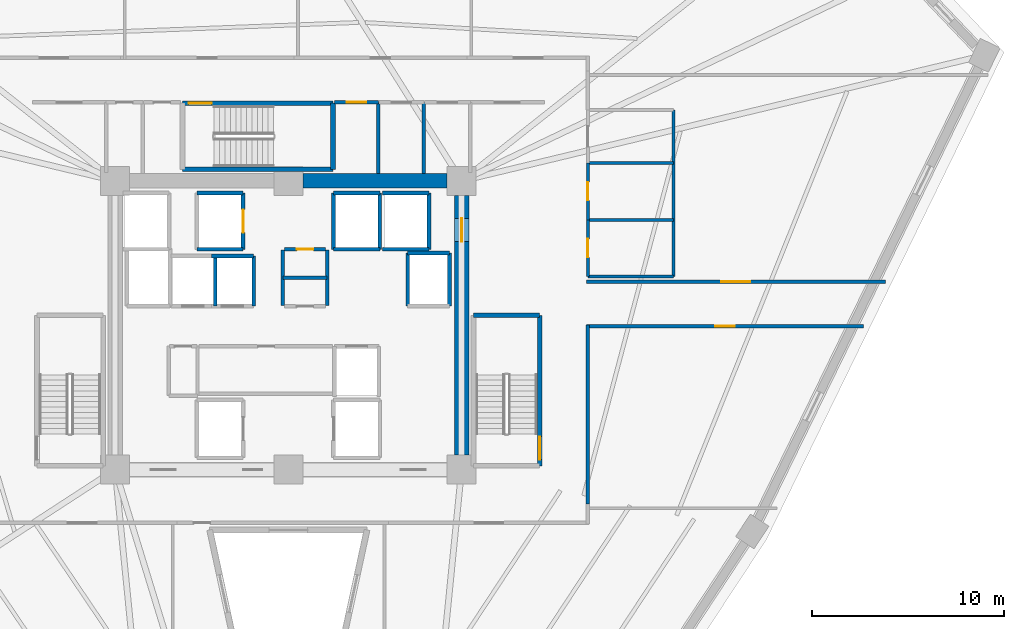
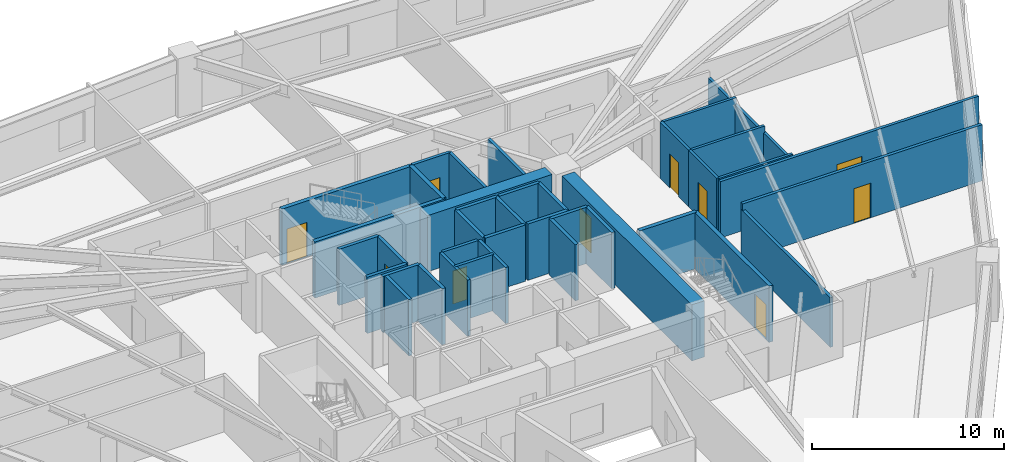
# One storey, part 6 of 9: 39 walls, 10 doors, 10 openings.
"""IFC4 building model written with IfcOpenShell, lengths in metres."""

import ifcopenshell
import ifcopenshell.guid

model = None  # the IFC model being written
_history = None  # IfcOwnerHistory: only IFC2X3 demands one
_inside = {}  # id of a spatial element -> (the spatial element, [elements in it])
_under = {}  # id of a project, library or spatial element -> (it, [spatial elements below it])
_declared = {}  # id of a project -> (the project, [libraries it declares])
_typed = {}  # id of a type object -> (the type object, [elements of that type])
_made_of = {}  # id of a material, layer set ... -> (it, [elements and type objects made of it])


def new_model(schema):
    """Start an empty IFC model of exactly this schema.

    Asked for "IFC4X3", IfcOpenShell would pick the latest addendum, in which some entities
    have other attributes; the version numbers below select the first issue.
    IFC2X3 requires an IfcOwnerHistory on every rooted entity: one is made here for all.
    """
    global model, _history
    if schema == "IFC4X3":
        model = ifcopenshell.file(schema_version=(4, 3, 0, 0))
    else:
        model = ifcopenshell.file(schema=schema)
    _inside.clear()
    _under.clear()
    _declared.clear()
    _typed.clear()
    _made_of.clear()
    _history = None
    if model.schema == "IFC2X3":
        org = make("IfcOrganization", Name="unknown")
        user = make(
            "IfcPersonAndOrganization",
            ThePerson=make("IfcPerson", FamilyName="unknown"),
            TheOrganization=org,
        )
        app = make(
            "IfcApplication",
            ApplicationDeveloper=org,
            Version="unknown",
            ApplicationFullName="unknown",
            ApplicationIdentifier="unknown",
        )
        _history = make(
            "IfcOwnerHistory",
            OwningUser=user,
            OwningApplication=app,
            ChangeAction="ADDED",
            CreationDate=0,
        )
    return model


def make(cls, **values):
    """One entity of the class cls with the attributes given. An attribute that is None is left unset."""
    return model.create_entity(
        cls, **{name: value for name, value in values.items() if value is not None}
    )


def rooted(cls, **values):
    """An entity with a GlobalId (a new one), such as an element, a storey or a relation."""
    return make(cls, GlobalId=ifcopenshell.guid.new(), OwnerHistory=_history, **values)


def si_unit(unit_type, name, prefix=None):
    """IfcSIUnit, for example si_unit("LENGTHUNIT", "METRE", prefix="MILLI")."""
    return make("IfcSIUnit", UnitType=unit_type, Prefix=prefix, Name=name)


def assignment(units):
    """IfcUnitAssignment: the units of a project."""
    return None if units is None else make("IfcUnitAssignment", Units=units)


def point(xyz):
    """IfcCartesianPoint."""
    return None if xyz is None else make("IfcCartesianPoint", Coordinates=xyz)


def direction(xyz):
    """IfcDirection."""
    return None if xyz is None else make("IfcDirection", DirectionRatios=xyz)


def frame(location, z_axis=None, x_axis=None):
    """IfcAxis2Placement3D, a coordinate frame: its origin and axes. An axis left out is left unset."""
    return make(
        "IfcAxis2Placement3D",
        Location=point(location),
        Axis=direction(z_axis),
        RefDirection=direction(x_axis),
    )


def frame_2d(location, x_axis=None):
    """IfcAxis2Placement2D, a coordinate frame in the plane: its origin and x axis."""
    return make(
        "IfcAxis2Placement2D", Location=point(location), RefDirection=direction(x_axis)
    )


def origin():
    """The frame at (0, 0, 0) with its axes left unset."""
    return frame((0.0, 0.0, 0.0))


def place(relative_to, where):
    """IfcLocalPlacement: puts the frame where relative to a parent placement (None: the world)."""
    return make(
        "IfcLocalPlacement", PlacementRelTo=relative_to, RelativePlacement=where
    )


def context(
    kind, dimensions, precision=None, world=None, true_north=None, identifier=None
):
    """IfcGeometricRepresentationContext, for example the 3D "Model" context."""
    return make(
        "IfcGeometricRepresentationContext",
        ContextIdentifier=identifier,
        ContextType=kind,
        CoordinateSpaceDimension=dimensions,
        Precision=precision,
        WorldCoordinateSystem=world,
        TrueNorth=true_north,
    )


def subcontext(parent, identifier, kind, view, scale=None):
    """IfcGeometricRepresentationSubContext, for example "Body" below "Model"."""
    return make(
        "IfcGeometricRepresentationSubContext",
        ContextIdentifier=identifier,
        ContextType=kind,
        ParentContext=parent,
        TargetScale=scale,
        TargetView=view,
    )


def project(units=None, contexts=None):
    """IfcProject with its units and contexts."""
    return rooted(
        "IfcProject",
        Name="project",
        RepresentationContexts=contexts,
        UnitsInContext=assignment(units),
    )


def spatial(cls, under=None, at=None, **own):
    """A site, building, storey or space (cls), placed at a placement, below another one or the project."""
    s = rooted(cls, ObjectPlacement=at, **own)
    if under is not None:
        _under.setdefault(under.id(), (under, []))[1].append(s)
    return s


def profile(cls, at=None, kind="AREA", **sizes):
    """A parametric profile (cls). Its sizes go by their IFC names, for example OverallWidth=200.0."""
    return make(cls, ProfileType=kind, Position=at, **sizes)


def rectangle(**sizes):
    """IfcRectangleProfileDef."""
    return profile("IfcRectangleProfileDef", **sizes)


def extrude(swept, where, along, depth):
    """IfcExtrudedAreaSolid: the profile swept, set in the frame where, extruded along a direction by depth."""
    return make(
        "IfcExtrudedAreaSolid",
        SweptArea=swept,
        Position=where,
        ExtrudedDirection=direction(along),
        Depth=depth,
    )


def shape(context_of_items, identifier, shape_type, items):
    """IfcShapeRepresentation: the items that make up one representation, for example the "Body"."""
    return make(
        "IfcShapeRepresentation",
        ContextOfItems=context_of_items,
        RepresentationIdentifier=identifier,
        RepresentationType=shape_type,
        Items=items,
    )


def source(mapping_origin, context_of_items, identifier, shape_type, items):
    """IfcRepresentationMap: a shape defined once, which mapped items show again and again."""
    return make(
        "IfcRepresentationMap",
        MappingOrigin=mapping_origin,
        MappedRepresentation=shape(context_of_items, identifier, shape_type, items),
    )


def transform(
    local_origin,
    x_axis=None,
    y_axis=None,
    z_axis=None,
    scale=None,
    scale2=None,
    scale3=None,
    uniform=True,
):
    """IfcCartesianTransformationOperator3D, or its non-uniform kind. x_axis, y_axis, z_axis: its Axis1, 2, 3."""
    if uniform:
        return make(
            "IfcCartesianTransformationOperator3D",
            Axis1=direction(x_axis),
            Axis2=direction(y_axis),
            LocalOrigin=point(local_origin),
            Scale=scale,
            Axis3=direction(z_axis),
        )
    return make(
        "IfcCartesianTransformationOperator3DnonUniform",
        Axis1=direction(x_axis),
        Axis2=direction(y_axis),
        LocalOrigin=point(local_origin),
        Scale=scale,
        Axis3=direction(z_axis),
        Scale2=scale2,
        Scale3=scale3,
    )


def mapped(mapping_source, mapping_target):
    """IfcMappedItem: shows the shape of a source again, moved by a transform."""
    return make(
        "IfcMappedItem", MappingSource=mapping_source, MappingTarget=mapping_target
    )


def material(Name=None, Category=None):
    """IfcMaterial."""
    return make("IfcMaterial", Name=Name, Category=Category)


def layer(
    of_material, thickness, ventilated=None, Name=None, Category=None, Priority=None
):
    """IfcMaterialLayer: one layer of a wall or slab, of a material (None: an air gap)."""
    return make(
        "IfcMaterialLayer",
        Material=of_material,
        LayerThickness=thickness,
        IsVentilated=ventilated,
        Name=Name,
        Category=Category,
        Priority=Priority,
    )


def layer_set(layers, Name=None):
    """IfcMaterialLayerSet."""
    return make("IfcMaterialLayerSet", MaterialLayers=layers, LayerSetName=Name)


def made_of(thing, what):
    """Note that an element or type object is made of a material, layer set ...; save() writes the relation."""
    if what is not None:
        _made_of.setdefault(what.id(), (what, []))[1].append(thing)
    return thing


def type_object(cls, material=None, **own):
    """A type object (cls), such as IfcWallType, which elements share."""
    return made_of(rooted(cls, **own), material)


def element(
    cls,
    number,
    at=None,
    inside=None,
    cuts=None,
    type_object=None,
    material=None,
    context=None,
    identifier="Body",
    shape_type=None,
    held_by="IfcProductDefinitionShape",
    body=None,
    shapes=None,
    **own,
):
    """One element of the class cls, such as IfcWall. Its Tag is "e" and its number.

    at: its placement. inside: the storey or other place that contains it. cuts: it is an
    opening in that element (IfcRelVoidsElement). A single representation is given by context,
    identifier, shape_type and body (its items); several are given by shapes. held_by: the class
    of the entity that holds the representations. save() writes the other relations.
    """
    e = rooted(cls, Tag="e%d" % number, ObjectPlacement=at, **own)
    if body is not None:
        shapes = [shape(context, identifier, shape_type, body)]
    if shapes is not None:
        e.Representation = make(held_by, Representations=shapes)
    if inside is not None:
        _inside.setdefault(inside.id(), (inside, []))[1].append(e)
    if cuts is not None:
        rooted(
            "IfcRelVoidsElement", RelatingBuildingElement=cuts, RelatedOpeningElement=e
        )
    if type_object is not None:
        _typed.setdefault(type_object.id(), (type_object, []))[1].append(e)
    return made_of(e, material)


def fill(opening, filler):
    """IfcRelFillsElement: the door or window that sits in an opening."""
    return rooted(
        "IfcRelFillsElement",
        RelatingOpeningElement=opening,
        RelatedBuildingElement=filler,
    )


def aggregate(whole, parts):
    """IfcRelAggregates: a whole, such as a stair, and the parts it consists of."""
    return rooted("IfcRelAggregates", RelatingObject=whole, RelatedObjects=parts)


def save(model, path):
    """Write the relations noted so far, then the file.

    IfcRelAggregates (storeys below a building ...), IfcRelContainedInSpatialStructure (elements
    in a storey), IfcRelDefinesByType, IfcRelAssociatesMaterial and IfcRelDeclares: one each for
    every whole, place, type object, material and project.
    """
    for whole, parts in _under.values():
        aggregate(whole, parts)
    for where, things in _inside.values():
        rooted(
            "IfcRelContainedInSpatialStructure",
            RelatedElements=things,
            RelatingStructure=where,
        )
    for kind, things in _typed.values():
        rooted("IfcRelDefinesByType", RelatedObjects=things, RelatingType=kind)
    for what, things in _made_of.values():
        rooted("IfcRelAssociatesMaterial", RelatedObjects=things, RelatingMaterial=what)
    for by, libraries in _declared.values():
        rooted("IfcRelDeclares", RelatingContext=by, RelatedDefinitions=libraries)
    model.write(path)


model = new_model("IFC4")

# Units and contexts
model_context = context("Model", 3, precision=1e-05, world=origin(), true_north=direction((0.0, 1.0)))
body_context = subcontext(model_context, "Body", "Model", "MODEL_VIEW")
ifc_project = project(units=[si_unit("LENGTHUNIT", "METRE"), si_unit("AREAUNIT", "SQUARE_METRE"), si_unit("VOLUMEUNIT", "CUBIC_METRE"), si_unit("PLANEANGLEUNIT", "RADIAN"), si_unit("MASSUNIT", "GRAM", prefix="KILO")], contexts=[model_context])

# Site, building, storey
site_placement = place(None, origin())
site = spatial("IfcSite", under=ifc_project, at=site_placement, CompositionType="ELEMENT")
building_placement = place(site_placement, origin())
building = spatial("IfcBuilding", under=site, at=building_placement, Name="Liaohun Quay Tower", CompositionType="ELEMENT")
storey_placement = place(building_placement, frame((0.0, 0.0, 128.25)))
storey = spatial("IfcBuildingStorey", under=building, at=storey_placement, Name="L33", CompositionType="ELEMENT", Elevation=128.25)

# Wall
ifc_material_1 = material(Name="Concrete C60", Category="concrete")
ifc_layer_1 = layer(ifc_material_1, 0.75, Name="Concrete C60", Category="concrete")
ifc_layer_set_1 = layer_set([ifc_layer_1], Name="Concrete C60")
wall_type_1 = type_object("IfcWallType", Name="WAL-COR-Z2", PredefinedType="SHEAR", material=ifc_layer_set_1)
wall_1_placement = place(storey_placement, frame((60.75, 61.5, 0.0), z_axis=(0.0, 0.0, 1.0), x_axis=(1.0, 0.0, 0.0)))
element("IfcWall", 1, at=wall_1_placement, inside=storey, type_object=wall_type_1, Name="L33 Central Core Shear Wall N-E", PredefinedType="SHEAR", context=body_context, shape_type="SweptSolid", body=[
    extrude(rectangle(XDim=7.5, YDim=0.75, at=frame_2d((3.75, 0.0))), origin(), (0.0, 0.0, 1.0), 3.570068359375),
])

# Wall, opening, door
wall_2_placement = place(storey_placement, frame((69.0, 60.75, 0.0), z_axis=(0.0, 0.0, 1.0), x_axis=(0.0, -1.0, 0.0)))
wall_2 = element("IfcWall", 2, at=wall_2_placement, inside=storey, type_object=wall_type_1, Name="L33 Central Core Shear Wall E", PredefinedType="SHEAR", context=body_context, shape_type="SweptSolid", body=[
    extrude(rectangle(XDim=13.5, YDim=0.75, at=frame_2d((6.75, 0.0))), origin(), (0.0, 0.0, 1.0), 3.570068359375),
])
shared_shape_1 = source(origin(), body_context, "Body", "SweptSolid", [
    extrude(rectangle(XDim=1.199951171875, YDim=2.199951171875, at=frame_2d((0.60009765625, 1.10009765625))), frame((0.0, 0.385009765625, 0.0), z_axis=(0.0, -1.0, 0.0), x_axis=(1.0, 0.0, 0.0)), (0.0, 0.0, 1.0), 0.77001953125),
])
opening_1_placement = place(wall_2_placement, frame((1.199951171875, 0.0, 0.0)))
opening_1 = element("IfcOpeningElement", 3, at=opening_1_placement, cuts=wall_2, Name="Opening SD1", PredefinedType="OPENING", context=body_context, shape_type="MappedRepresentation", body=[
    mapped(shared_shape_1, transform((0.0, 0.0, 0.0), x_axis=(1.0, 0.0, 0.0), y_axis=(0.0, 1.0, 0.0), z_axis=(0.0, 0.0, 1.0), scale=1.0)),
])
ifc_material_2 = material(Name="Galvanised steel fire door", Category="steel")
door_type_1 = type_object("IfcDoorType", Name="DOR-STR-1200", OperationType="NOTDEFINED", PredefinedType="DOOR", material=ifc_material_2)
shared_shape_2 = source(origin(), body_context, "Body", "SweptSolid", [
    extrude(rectangle(XDim=1.199951171875, YDim=2.199951171875, at=frame_2d((0.60009765625, 1.10009765625))), frame((0.0, 0.02490234375, 0.0), z_axis=(0.0, -1.0, 0.0), x_axis=(1.0, 0.0, 0.0)), (0.0, 0.0, 1.0), 0.050048828125),
])
door_1_placement = place(opening_1_placement, origin())
door_1 = element("IfcDoor", 4, at=door_1_placement, inside=storey, type_object=door_type_1, Name="L33 North-East Core Lobby Smokeproof Door", OperationType="SINGLE_SWING_LEFT", OverallHeight=2.199951171875, OverallWidth=1.199951171875, PredefinedType="DOOR", context=body_context, shape_type="MappedRepresentation", body=[
    mapped(shared_shape_2, transform((0.0, 0.0, 0.0), x_axis=(1.0, 0.0, 0.0), y_axis=(0.0, 1.0, 0.0), z_axis=(0.0, 0.0, 1.0), scale=1.0)),
])
fill(opening_1, door_1)

ifc_material_3 = material(Name="Autoclaved aerated concrete blockwork", Category="masonry")
ifc_layer_2 = layer(ifc_material_3, 0.179931640625, Name="Autoclaved aerated concrete blockwork", Category="masonry")
ifc_layer_set_2 = layer_set([ifc_layer_2], Name="Autoclaved aerated concrete blockwork")
wall_type_2 = type_object("IfcWallType", Name="WAL-PRT-COR", PredefinedType="PARTITIONING", material=ifc_layer_set_2)
wall_3_placement = place(storey_placement, frame((59.81005859375, 57.949951171875, 0.0), z_axis=(0.0, 0.0, 1.0), x_axis=(1.0, 0.0, 0.0)))
wall_3 = element("IfcWall", 5, at=wall_3_placement, inside=storey, type_object=wall_type_2, Name="L33 Interior Partition Wall 003", PredefinedType="PARTITIONING", context=body_context, shape_type="SweptSolid", body=[
    extrude(rectangle(XDim=2.10986328125, YDim=0.179931640625, at=frame_2d((1.054931640625, 0.0))), origin(), (0.0, 0.0, 1.0), 3.570068359375),
])
shared_shape_3 = source(origin(), body_context, "Body", "SweptSolid", [
    extrude(rectangle(XDim=0.85009765625, YDim=2.10009765625, at=frame_2d((0.425048828125, 1.050048828125))), frame((0.0, 0.099853515625, 0.0), z_axis=(0.0, -1.0, 0.0), x_axis=(1.0, 0.0, 0.0)), (0.0, 0.0, 1.0), 0.199951171875),
])
opening_2_placement = place(wall_3_placement, frame((0.635009765625, 0.0, 0.0)))
opening_2 = element("IfcOpeningElement", 6, at=opening_2_placement, cuts=wall_3, Name="Opening AD1", PredefinedType="OPENING", context=body_context, shape_type="MappedRepresentation", body=[
    mapped(shared_shape_3, transform((0.0, 0.0, 0.0), x_axis=(1.0, 0.0, 0.0), y_axis=(0.0, 1.0, 0.0), z_axis=(0.0, 0.0, 1.0), scale=1.0)),
])
ifc_material_4 = material(Name="Steel riser inspection fire door", Category="steel")
door_type_2 = type_object("IfcDoorType", Name="DOR-SHF-850", OperationType="NOTDEFINED", PredefinedType="DOOR", material=ifc_material_4)
shared_shape_4 = source(origin(), body_context, "Body", "SweptSolid", [
    extrude(rectangle(XDim=0.85009765625, YDim=2.10009765625, at=frame_2d((0.425048828125, 1.050048828125))), frame((0.0, 0.02490234375, 0.0), z_axis=(0.0, -1.0, 0.0), x_axis=(1.0, 0.0, 0.0)), (0.0, 0.0, 1.0), 0.050048828125),
])
door_2_placement = place(opening_2_placement, origin())
door_2 = element("IfcDoor", 7, at=door_2_placement, inside=storey, type_object=door_type_2, Name="L33 Telecom Comms Closet Door", OperationType="SINGLE_SWING_LEFT", OverallHeight=2.10009765625, OverallWidth=0.85009765625, PredefinedType="DOOR", context=body_context, shape_type="MappedRepresentation", body=[
    mapped(shared_shape_4, transform((0.0, 0.0, 0.0), x_axis=(1.0, 0.0, 0.0), y_axis=(0.0, 1.0, 0.0), z_axis=(0.0, 0.0, 1.0), scale=1.0)),
])
fill(opening_2, door_2)

wall_4_placement = place(storey_placement, frame((62.389892578125, 65.580078125, 0.0), z_axis=(0.0, 0.0, 1.0), x_axis=(1.0, 0.0, 0.0)))
wall_4 = element("IfcWall", 8, at=wall_4_placement, inside=storey, type_object=wall_type_2, Name="L33 Interior Partition Wall 010", PredefinedType="PARTITIONING", context=body_context, shape_type="SweptSolid", body=[
    extrude(rectangle(XDim=2.2900390625, YDim=0.179931640625, at=frame_2d((1.14501953125, 0.0))), origin(), (0.0, 0.0, 1.0), 3.570068359375),
])
shared_shape_5 = source(origin(), body_context, "Body", "SweptSolid", [
    extrude(rectangle(XDim=1.0, YDim=2.199951171875, at=frame_2d((0.5, 1.10009765625))), frame((0.0, 0.099853515625, 0.0), z_axis=(0.0, -1.0, 0.0), x_axis=(1.0, 0.0, 0.0)), (0.0, 0.0, 1.0), 0.199951171875),
])
opening_3_placement = place(wall_4_placement, frame((0.64501953125, 0.0, 0.0)))
opening_3 = element("IfcOpeningElement", 9, at=opening_3_placement, cuts=wall_4, Name="Opening OD1", PredefinedType="OPENING", context=body_context, shape_type="MappedRepresentation", body=[
    mapped(shared_shape_5, transform((0.0, 0.0, 0.0), x_axis=(1.0, 0.0, 0.0), y_axis=(0.0, 1.0, 0.0), z_axis=(0.0, 0.0, 1.0), scale=1.0)),
])
ifc_material_5 = material(Name="Solid-core oak veneer timber leaf in steel frame", Category="steel")
door_type_3 = type_object("IfcDoorType", Name="DOR-OFF-1000", OperationType="NOTDEFINED", PredefinedType="DOOR", material=ifc_material_5)
shared_shape_6 = source(origin(), body_context, "Body", "SweptSolid", [
    extrude(rectangle(XDim=1.0, YDim=2.199951171875, at=frame_2d((0.5, 1.10009765625))), frame((0.0, 0.02490234375, 0.0), z_axis=(0.0, -1.0, 0.0), x_axis=(1.0, 0.0, 0.0)), (0.0, 0.0, 1.0), 0.050048828125),
])
door_3_placement = place(opening_3_placement, origin())
door_3 = element("IfcDoor", 10, at=door_3_placement, inside=storey, type_object=door_type_3, Name="L33 North-East Mail Store Door", OperationType="SINGLE_SWING_RIGHT", OverallHeight=2.199951171875, OverallWidth=1.0, PredefinedType="DOOR", context=body_context, shape_type="MappedRepresentation", body=[
    mapped(shared_shape_6, transform((0.0, 0.0, 0.0), x_axis=(1.0, 0.0, 0.0), y_axis=(0.0, 1.0, 0.0), z_axis=(0.0, 0.0, 1.0), scale=1.0)),
])
fill(opening_3, door_3)

wall_5_placement = place(storey_placement, frame((75.489990234375, 56.260009765625, 0.0), z_axis=(0.0, 0.0, 1.0), x_axis=(1.0, 0.0, 0.0)))
wall_5 = element("IfcWall", 11, at=wall_5_placement, inside=storey, type_object=wall_type_2, Name="L33 Interior Partition Wall 015", PredefinedType="PARTITIONING", context=body_context, shape_type="SweptSolid", body=[
    extrude(rectangle(XDim=15.52392578125, YDim=0.179931640625, at=frame_2d((7.761962890625, 0.0))), origin(), (0.0, 0.0, 1.0), 3.570068359375),
])
shared_shape_7 = source(origin(), body_context, "Body", "SweptSolid", [
    extrude(rectangle(XDim=1.5, YDim=2.199951171875, at=frame_2d((0.75, 1.10009765625))), frame((0.0, 0.099853515625, 0.0), z_axis=(0.0, -1.0, 0.0), x_axis=(1.0, 0.0, 0.0)), (0.0, 0.0, 1.0), 0.199951171875),
])
opening_4_placement = place(wall_5_placement, frame((7.011962890625, 0.0, 0.0)))
opening_4 = element("IfcOpeningElement", 12, at=opening_4_placement, cuts=wall_5, Name="Opening OD2", PredefinedType="OPENING", context=body_context, shape_type="MappedRepresentation", body=[
    mapped(shared_shape_7, transform((0.0, 0.0, 0.0), x_axis=(1.0, 0.0, 0.0), y_axis=(0.0, 1.0, 0.0), z_axis=(0.0, 0.0, 1.0), scale=1.0)),
])
ifc_material_6 = material(Name="Acoustic oak veneer double door")
door_type_4 = type_object("IfcDoorType", Name="DOR-OFF-1500", OperationType="DOUBLE_DOOR_SINGLE_SWING", PredefinedType="DOOR", material=ifc_material_6)
shared_shape_8 = source(origin(), body_context, "Body", "SweptSolid", [
    extrude(rectangle(XDim=1.5, YDim=2.199951171875, at=frame_2d((0.75, 1.10009765625))), frame((0.0, 0.02490234375, 0.0), z_axis=(0.0, -1.0, 0.0), x_axis=(1.0, 0.0, 0.0)), (0.0, 0.0, 1.0), 0.050048828125),
])
door_4_placement = place(opening_4_placement, origin())
door_4 = element("IfcDoor", 13, at=door_4_placement, inside=storey, type_object=door_type_4, Name="L33 Technical Reference Library 01 Door", OperationType="DOUBLE_DOOR_SINGLE_SWING", OverallHeight=2.199951171875, OverallWidth=1.5, PredefinedType="DOOR", context=body_context, shape_type="MappedRepresentation", body=[
    mapped(shared_shape_8, transform((0.0, 0.0, 0.0), x_axis=(1.0, 0.0, 0.0), y_axis=(0.0, 1.0, 0.0), z_axis=(0.0, 0.0, 1.0), scale=1.0)),
])
fill(opening_4, door_4)

wall_6_placement = place(storey_placement, frame((89.883056640625, 53.93994140625, 0.0), z_axis=(0.0, 0.0, 1.0), x_axis=(-1.0, 0.0, 0.0)))
wall_6 = element("IfcWall", 14, at=wall_6_placement, inside=storey, type_object=wall_type_2, Name="L33 Interior Partition Wall 027", PredefinedType="PARTITIONING", context=body_context, shape_type="SweptSolid", body=[
    extrude(rectangle(XDim=14.39306640625, YDim=0.179931640625, at=frame_2d((7.196533203125, 0.0))), origin(), (0.0, 0.0, 1.0), 3.570068359375),
])
opening_5_placement = place(wall_6_placement, frame((6.697021484375, 0.0, 0.0)))
opening_5 = element("IfcOpeningElement", 15, at=opening_5_placement, cuts=wall_6, Name="Opening OD1", PredefinedType="OPENING", context=body_context, shape_type="MappedRepresentation", body=[
    mapped(shared_shape_5, transform((0.0, 0.0, 0.0), x_axis=(1.0, 0.0, 0.0), y_axis=(0.0, 1.0, 0.0), z_axis=(0.0, 0.0, 1.0), scale=1.0)),
])
door_5_placement = place(opening_5_placement, origin())
door_5 = element("IfcDoor", 16, at=door_5_placement, inside=storey, type_object=door_type_3, Name="L33 Regional Advisory Office 13 Door", OperationType="SINGLE_SWING_LEFT", OverallHeight=2.199951171875, OverallWidth=1.0, PredefinedType="DOOR", context=body_context, shape_type="MappedRepresentation", body=[
    mapped(shared_shape_6, transform((0.0, 0.0, 0.0), x_axis=(1.0, 0.0, 0.0), y_axis=(0.0, 1.0, 0.0), z_axis=(0.0, 0.0, 1.0), scale=1.0)),
])
fill(opening_5, door_5)

# Walls
for number, where, z_axis, x_axis, name in (
    (17, (59.719970703125, 55.02001953125, 0.0), (0.0, 0.0, 1.0), (0.0, 1.0, 0.0), "L33 Interior Partition Wall 028"),
    (18, (62.010009765625, 55.02001953125, 0.0), (0.0, 0.0, 1.0), (0.0, 1.0, 0.0), "L33 Interior Partition Wall 029"),
):
    element("IfcWall", number, at=place(storey_placement, frame(where, z_axis=z_axis, x_axis=x_axis)), inside=storey, type_object=wall_type_2, Name=name, PredefinedType="PARTITIONING", context=body_context, shape_type="SweptSolid", body=[
        extrude(rectangle(XDim=2.8798828125, YDim=0.179931640625, at=frame_2d((1.43994140625, 0.0))), origin(), (0.0, 0.0, 1.0), 3.570068359375),
    ])
wall_7_placement = place(storey_placement, frame((59.719970703125, 56.4599609375, 0.0), z_axis=(0.0, 0.0, 1.0), x_axis=(1.0, 0.0, 0.0)))
element("IfcWall", 19, at=wall_7_placement, inside=storey, type_object=wall_type_2, Name="L33 Interior Partition Wall 030", PredefinedType="PARTITIONING", context=body_context, shape_type="SweptSolid", body=[
    extrude(rectangle(XDim=2.2900390625, YDim=0.179931640625, at=frame_2d((1.14501953125, 0.0))), origin(), (0.0, 0.0, 1.0), 3.570068359375),
])
for number, where, z_axis, x_axis, name in (
    (20, (64.679931640625, 61.875, 0.0), (0.0, 0.0, 1.0), (0.0, 1.0, 0.0), "L33 Interior Partition Wall 041"),
    (21, (67.0400390625, 61.875, 0.0), (0.0, 0.0, 1.0), (0.0, 1.0, 0.0), "L33 Interior Partition Wall 042"),
):
    element("IfcWall", number, at=place(storey_placement, frame(where, z_axis=z_axis, x_axis=x_axis)), inside=storey, type_object=wall_type_2, Name=name, PredefinedType="PARTITIONING", context=body_context, shape_type="SweptSolid", body=[
        extrude(rectangle(XDim=3.705078125, YDim=0.179931640625, at=frame_2d((1.8525390625, 0.0))), origin(), (0.0, 0.0, 1.0), 3.570068359375),
    ])
wall_8_placement = place(storey_placement, frame((75.56005859375, 54.010009765625, 0.0), z_axis=(0.0, 0.0, 1.0), x_axis=(0.0, -1.0, 0.0)))
element("IfcWall", 22, at=wall_8_placement, inside=storey, type_object=wall_type_2, Name="L33 Interior Partition Wall 051", PredefinedType="PARTITIONING", context=body_context, shape_type="SweptSolid", body=[
    extrude(rectangle(XDim=9.294921875, YDim=0.179931640625, at=frame_2d((4.6474609375, 0.0))), origin(), (0.0, 0.0, 1.0), 3.155029296875),
])

# Wall, opening, door
ifc_material_7 = material(Name="Moisture-resistant masonry blockwork", Category="masonry")
ifc_layer_3 = layer(ifc_material_7, 0.159912109375, Name="Moisture-resistant masonry blockwork", Category="masonry")
ifc_layer_set_3 = layer_set([ifc_layer_3], Name="Moisture-resistant masonry blockwork")
wall_type_3 = type_object("IfcWallType", Name="WAL-PRT-WET", PredefinedType="PARTITIONING", material=ifc_layer_set_3)
wall_9_placement = place(storey_placement, frame((75.56005859375, 56.5400390625, 0.0), z_axis=(0.0, 0.0, 1.0), x_axis=(0.0, 1.0, 0.0)))
wall_9 = element("IfcWall", 23, at=wall_9_placement, inside=storey, type_object=wall_type_3, Name="L33 Interior Partition Wall 005", PredefinedType="PARTITIONING", context=body_context, shape_type="SweptSolid", body=[
    extrude(rectangle(XDim=2.93994140625, YDim=0.159912109375, at=frame_2d((1.469970703125, 0.0))), origin(), (0.0, 0.0, 1.0), 3.570068359375),
])
shared_shape_9 = source(origin(), body_context, "Body", "SweptSolid", [
    extrude(rectangle(XDim=0.949951171875, YDim=2.14990234375, at=frame_2d((0.47509765625, 1.074951171875))), frame((0.0, 0.08984375, 0.0), z_axis=(0.0, -1.0, 0.0), x_axis=(1.0, 0.0, 0.0)), (0.0, 0.0, 1.0), 0.179931640625),
])
opening_6_placement = place(wall_9_placement, frame((0.9951171875, 0.0, 0.0)))
opening_6 = element("IfcOpeningElement", 24, at=opening_6_placement, cuts=wall_9, Name="Opening WD1", PredefinedType="OPENING", context=body_context, shape_type="MappedRepresentation", body=[
    mapped(shared_shape_9, transform((0.0, 0.0, 0.0), x_axis=(1.0, 0.0, 0.0), y_axis=(0.0, 1.0, 0.0), z_axis=(0.0, 0.0, 1.0), scale=1.0)),
])
ifc_material_8 = material(Name="Moisture-resistant laminate timber leaf", Category="wood")
door_type_5 = type_object("IfcDoorType", Name="DOR-WC-950", OperationType="NOTDEFINED", PredefinedType="DOOR", material=ifc_material_8)
shared_shape_10 = source(origin(), body_context, "Body", "SweptSolid", [
    extrude(rectangle(XDim=0.949951171875, YDim=2.14990234375, at=frame_2d((0.47509765625, 1.074951171875))), frame((0.0, 0.02490234375, 0.0), z_axis=(0.0, -1.0, 0.0), x_axis=(1.0, 0.0, 0.0)), (0.0, 0.0, 1.0), 0.050048828125),
])
door_6_placement = place(opening_6_placement, origin())
door_6 = element("IfcDoor", 25, at=door_6_placement, inside=storey, type_object=door_type_5, Name="L33 Male Restroom WC Door", OperationType="SINGLE_SWING_LEFT", OverallHeight=2.14990234375, OverallWidth=0.949951171875, PredefinedType="DOOR", context=body_context, shape_type="MappedRepresentation", body=[
    mapped(shared_shape_10, transform((0.0, 0.0, 0.0), x_axis=(1.0, 0.0, 0.0), y_axis=(0.0, 1.0, 0.0), z_axis=(0.0, 0.0, 1.0), scale=1.0)),
])
fill(opening_6, door_6)

wall_10_placement = place(storey_placement, frame((75.56005859375, 59.47998046875, 0.0), z_axis=(0.0, 0.0, 1.0), x_axis=(0.0, 1.0, 0.0)))
wall_10 = element("IfcWall", 26, at=wall_10_placement, inside=storey, type_object=wall_type_3, Name="L33 Interior Partition Wall 006", PredefinedType="PARTITIONING", context=body_context, shape_type="SweptSolid", body=[
    extrude(rectangle(XDim=2.9599609375, YDim=0.159912109375, at=frame_2d((1.47998046875, 0.0))), origin(), (0.0, 0.0, 1.0), 3.570068359375),
])
opening_7_placement = place(wall_10_placement, frame((1.0048828125, 0.0, 0.0)))
opening_7 = element("IfcOpeningElement", 27, at=opening_7_placement, cuts=wall_10, Name="Opening WD1", PredefinedType="OPENING", context=body_context, shape_type="MappedRepresentation", body=[
    mapped(shared_shape_9, transform((0.0, 0.0, 0.0), x_axis=(1.0, 0.0, 0.0), y_axis=(0.0, 1.0, 0.0), z_axis=(0.0, 0.0, 1.0), scale=1.0)),
])
door_7_placement = place(opening_7_placement, origin())
door_7 = element("IfcDoor", 28, at=door_7_placement, inside=storey, type_object=door_type_5, Name="L33 Female Restroom WC Door", OperationType="SINGLE_SWING_RIGHT", OverallHeight=2.14990234375, OverallWidth=0.949951171875, PredefinedType="DOOR", context=body_context, shape_type="MappedRepresentation", body=[
    mapped(shared_shape_10, transform((0.0, 0.0, 0.0), x_axis=(1.0, 0.0, 0.0), y_axis=(0.0, 1.0, 0.0), z_axis=(0.0, 0.0, 1.0), scale=1.0)),
])
fill(opening_7, door_7)

# Walls
wall_11_placement = place(storey_placement, frame((80.02001953125, 56.5400390625, 0.0), z_axis=(0.0, 0.0, 1.0), x_axis=(0.0, 1.0, 0.0)))
element("IfcWall", 29, at=wall_11_placement, inside=storey, type_object=wall_type_3, Name="L33 Interior Partition Wall 034", PredefinedType="PARTITIONING", context=body_context, shape_type="SweptSolid", body=[
    extrude(rectangle(XDim=8.639892578125, YDim=0.159912109375, at=frame_2d((4.31982421875, 0.0))), origin(), (0.0, 0.0, 1.0), 3.155029296875),
])
for number, where, z_axis, x_axis, name in (
    (30, (75.56005859375, 56.5400390625, 0.0), (0.0, 0.0, 1.0), (1.0, 0.0, 0.0), "L33 Interior Partition Wall 035"),
    (31, (75.56005859375, 59.47998046875, 0.0), (0.0, 0.0, 1.0), (1.0, 0.0, 0.0), "L33 Interior Partition Wall 036"),
    (32, (75.56005859375, 62.43994140625, 0.0), (0.0, 0.0, 1.0), (1.0, 0.0, 0.0), "L33 Interior Partition Wall 037"),
):
    element("IfcWall", number, at=place(storey_placement, frame(where, z_axis=z_axis, x_axis=x_axis)), inside=storey, type_object=wall_type_3, Name=name, PredefinedType="PARTITIONING", context=body_context, shape_type="SweptSolid", body=[
        extrude(rectangle(XDim=4.4599609375, YDim=0.159912109375, at=frame_2d((2.22998046875, 0.0))), origin(), (0.0, 0.0, 1.0), 3.570068359375),
    ])

# Wall, opening, door
ifc_material_9 = material(Name="Concrete C50", Category="concrete")
ifc_layer_4 = layer(ifc_material_9, 0.239990234375, Name="Concrete C50", Category="concrete")
ifc_layer_set_4 = layer_set([ifc_layer_4], Name="Concrete C50")
wall_type_4 = type_object("IfcWallType", Name="WAL-SHF-200", PredefinedType="SOLIDWALL", material=ifc_layer_set_4)
wall_12_placement = place(storey_placement, frame((73.06005859375, 46.699951171875, 0.0), z_axis=(0.0, 0.0, 1.0), x_axis=(0.0, 1.0, 0.0)))
wall_12 = element("IfcWall", 33, at=wall_12_placement, inside=storey, type_object=wall_type_4, Name="L33 Stairwell ST-2 Structural Core Wall E", PredefinedType="SOLIDWALL", context=body_context, shape_type="SweptSolid", body=[
    extrude(rectangle(XDim=7.820068359375, YDim=0.239990234375, at=frame_2d((3.91015625, 0.0))), origin(), (0.0, 0.0, 1.0), 3.570068359375),
])
shared_shape_11 = source(origin(), body_context, "Body", "SweptSolid", [
    extrude(rectangle(XDim=1.199951171875, YDim=2.199951171875, at=frame_2d((0.60009765625, 1.10009765625))), frame((0.0, 0.1298828125, 0.0), z_axis=(0.0, -1.0, 0.0), x_axis=(1.0, 0.0, 0.0)), (0.0, 0.0, 1.0), 0.260009765625),
])
opening_8_placement = place(wall_12_placement, frame((0.320068359375, 0.0, 0.0)))
opening_8 = element("IfcOpeningElement", 34, at=opening_8_placement, cuts=wall_12, Name="Opening SD1", PredefinedType="OPENING", context=body_context, shape_type="MappedRepresentation", body=[
    mapped(shared_shape_11, transform((0.0, 0.0, 0.0), x_axis=(1.0, 0.0, 0.0), y_axis=(0.0, 1.0, 0.0), z_axis=(0.0, 0.0, 1.0), scale=1.0)),
])
door_8_placement = place(opening_8_placement, origin())
door_8 = element("IfcDoor", 35, at=door_8_placement, inside=storey, type_object=door_type_1, Name="L33 Protected Stair ST-2 Fire Door", OperationType="SINGLE_SWING_RIGHT", OverallHeight=2.199951171875, OverallWidth=1.199951171875, PredefinedType="DOOR", context=body_context, shape_type="MappedRepresentation", body=[
    mapped(shared_shape_2, transform((0.0, 0.0, 0.0), x_axis=(1.0, 0.0, 0.0), y_axis=(0.0, 1.0, 0.0), z_axis=(0.0, 0.0, 1.0), scale=1.0)),
])
fill(opening_8, door_8)

# Walls
wall_13_placement = place(storey_placement, frame((73.06005859375, 54.52001953125, 0.0), z_axis=(0.0, 0.0, 1.0), x_axis=(-1.0, 0.0, 0.0)))
element("IfcWall", 36, at=wall_13_placement, inside=storey, type_object=wall_type_4, Name="L33 Stairwell ST-2 Structural Core Wall N", PredefinedType="SOLIDWALL", context=body_context, shape_type="SweptSolid", body=[
    extrude(rectangle(XDim=3.43994140625, YDim=0.239990234375, at=frame_2d((1.719970703125, 0.0))), origin(), (0.0, 0.0, 1.0), 3.570068359375),
])
wall_14_placement = place(storey_placement, frame((54.5, 62.10009765625, 0.0), z_axis=(0.0, 0.0, 1.0), x_axis=(1.0, 0.0, 0.0)))
element("IfcWall", 37, at=wall_14_placement, inside=storey, type_object=wall_type_4, Name="L33 Stairwell ST-3 Structural Core Wall S", PredefinedType="SOLIDWALL", context=body_context, shape_type="SweptSolid", body=[
    extrude(rectangle(XDim=7.820068359375, YDim=0.239990234375, at=frame_2d((3.91015625, 0.0))), origin(), (0.0, 0.0, 1.0), 3.570068359375),
])
wall_15_placement = place(storey_placement, frame((62.320068359375, 62.10009765625, 0.0), z_axis=(0.0, 0.0, 1.0), x_axis=(0.0, 1.0, 0.0)))
element("IfcWall", 38, at=wall_15_placement, inside=storey, type_object=wall_type_4, Name="L33 Stairwell ST-3 Structural Core Wall E", PredefinedType="SOLIDWALL", context=body_context, shape_type="SweptSolid", body=[
    extrude(rectangle(XDim=3.43994140625, YDim=0.239990234375, at=frame_2d((1.719970703125, 0.0))), origin(), (0.0, 0.0, 1.0), 3.570068359375),
])

# Wall, opening, door
wall_16_placement = place(storey_placement, frame((62.320068359375, 65.5400390625, 0.0), z_axis=(0.0, 0.0, 1.0), x_axis=(-1.0, 0.0, 0.0)))
wall_16 = element("IfcWall", 39, at=wall_16_placement, inside=storey, type_object=wall_type_4, Name="L33 Stairwell ST-3 Structural Core Wall N", PredefinedType="SOLIDWALL", context=body_context, shape_type="SweptSolid", body=[
    extrude(rectangle(XDim=7.820068359375, YDim=0.239990234375, at=frame_2d((3.91015625, 0.0))), origin(), (0.0, 0.0, 1.0), 3.570068359375),
])
opening_9_placement = place(wall_16_placement, frame((6.300048828125, 0.0, 0.0)))
opening_9 = element("IfcOpeningElement", 40, at=opening_9_placement, cuts=wall_16, Name="Opening SD1", PredefinedType="OPENING", context=body_context, shape_type="MappedRepresentation", body=[
    mapped(shared_shape_11, transform((0.0, 0.0, 0.0), x_axis=(1.0, 0.0, 0.0), y_axis=(0.0, 1.0, 0.0), z_axis=(0.0, 0.0, 1.0), scale=1.0)),
])
door_9_placement = place(opening_9_placement, origin())
door_9 = element("IfcDoor", 41, at=door_9_placement, inside=storey, type_object=door_type_1, Name="L33 Protected Stair ST-3 Fire Door", OperationType="SINGLE_SWING_RIGHT", OverallHeight=2.199951171875, OverallWidth=1.199951171875, PredefinedType="DOOR", context=body_context, shape_type="MappedRepresentation", body=[
    mapped(shared_shape_2, transform((0.0, 0.0, 0.0), x_axis=(1.0, 0.0, 0.0), y_axis=(0.0, 1.0, 0.0), z_axis=(0.0, 0.0, 1.0), scale=1.0)),
])
fill(opening_9, door_9)

# Wall
wall_17_placement = place(storey_placement, frame((55.25, 57.949951171875, 0.0), z_axis=(0.0, 0.0, 1.0), x_axis=(1.0, 0.0, 0.0)))
element("IfcWall", 42, at=wall_17_placement, inside=storey, type_object=wall_type_4, Name="L33 Lift FF-03 Hoistway Wall S", PredefinedType="SOLIDWALL", context=body_context, shape_type="SweptSolid", body=[
    extrude(rectangle(XDim=2.39990234375, YDim=0.199951171875, at=frame_2d((1.199951171875, 0.0))), origin(), (0.0, 0.0, 1.0), 3.570068359375),
])

# Wall, opening, door
wall_18_placement = place(storey_placement, frame((57.64990234375, 57.949951171875, 0.0), z_axis=(0.0, 0.0, 1.0), x_axis=(0.0, 1.0, 0.0)))
wall_18 = element("IfcWall", 43, at=wall_18_placement, inside=storey, type_object=wall_type_4, Name="L33 Lift FF-03 Hoistway Wall E", PredefinedType="SOLIDWALL", context=body_context, shape_type="SweptSolid", body=[
    extrude(rectangle(XDim=2.929931640625, YDim=0.199951171875, at=frame_2d((1.46484375, 0.0))), origin(), (0.0, 0.0, 1.0), 3.570068359375),
])
shared_shape_12 = source(origin(), body_context, "Body", "SweptSolid", [
    extrude(rectangle(XDim=1.199951171875, YDim=2.300048828125, at=frame_2d((0.60009765625, 1.14990234375))), frame((0.0, 0.10986328125, 0.0), z_axis=(0.0, -1.0, 0.0), x_axis=(1.0, 0.0, 0.0)), (0.0, 0.0, 1.0), 0.219970703125),
])
opening_10_placement = place(wall_18_placement, frame((0.864990234375, 0.0, 0.0)))
opening_10 = element("IfcOpeningElement", 44, at=opening_10_placement, cuts=wall_18, Name="Opening LD2", PredefinedType="OPENING", context=body_context, shape_type="MappedRepresentation", body=[
    mapped(shared_shape_12, transform((0.0, 0.0, 0.0), x_axis=(1.0, 0.0, 0.0), y_axis=(0.0, 1.0, 0.0), z_axis=(0.0, 0.0, 1.0), scale=1.0)),
])
ifc_material_10 = material(Name="Brushed stainless steel stretcher landing door", Category="steel")
door_type_6 = type_object("IfcDoorType", Name="DOR-LFT-1200", OperationType="SLIDING_TO_LEFT", PredefinedType="DOOR", material=ifc_material_10)
shared_shape_13 = source(origin(), body_context, "Body", "SweptSolid", [
    extrude(rectangle(XDim=1.199951171875, YDim=2.300048828125, at=frame_2d((0.60009765625, 1.14990234375))), frame((0.0, 0.02490234375, 0.0), z_axis=(0.0, -1.0, 0.0), x_axis=(1.0, 0.0, 0.0)), (0.0, 0.0, 1.0), 0.050048828125),
])
door_10_placement = place(opening_10_placement, origin())
door_10 = element("IfcDoor", 45, at=door_10_placement, inside=storey, type_object=door_type_6, Name="L33 Lift FF-03 Sliding Landing Door", OperationType="SLIDING_TO_LEFT", OverallHeight=2.300048828125, OverallWidth=1.199951171875, PredefinedType="DOOR", context=body_context, shape_type="MappedRepresentation", body=[
    mapped(shared_shape_13, transform((0.0, 0.0, 0.0), x_axis=(1.0, 0.0, 0.0), y_axis=(0.0, 1.0, 0.0), z_axis=(0.0, 0.0, 1.0), scale=1.0)),
])
fill(opening_10, door_10)

# Walls
for number, where, z_axis, x_axis, name in (
    (46, (57.64990234375, 60.8798828125, 0.0), (0.0, 0.0, 1.0), (-1.0, 0.0, 0.0), "L33 Lift FF-03 Hoistway Wall N"),
    (47, (62.35009765625, 57.949951171875, 0.0), (0.0, 0.0, 1.0), (1.0, 0.0, 0.0), "L33 Lift OB-01 Hoistway Wall S"),
):
    element("IfcWall", number, at=place(storey_placement, frame(where, z_axis=z_axis, x_axis=x_axis)), inside=storey, type_object=wall_type_4, Name=name, PredefinedType="SOLIDWALL", context=body_context, shape_type="SweptSolid", body=[
        extrude(rectangle(XDim=2.39990234375, YDim=0.199951171875, at=frame_2d((1.199951171875, 0.0))), origin(), (0.0, 0.0, 1.0), 3.570068359375),
    ])
wall_19_placement = place(storey_placement, frame((64.75, 57.949951171875, 0.0), z_axis=(0.0, 0.0, 1.0), x_axis=(0.0, 1.0, 0.0)))
element("IfcWall", 48, at=wall_19_placement, inside=storey, type_object=wall_type_4, Name="L33 Lift OB-01 Hoistway Wall E", PredefinedType="SOLIDWALL", context=body_context, shape_type="SweptSolid", body=[
    extrude(rectangle(XDim=2.929931640625, YDim=0.199951171875, at=frame_2d((1.46484375, 0.0))), origin(), (0.0, 0.0, 1.0), 3.570068359375),
])
wall_20_placement = place(storey_placement, frame((64.75, 60.8798828125, 0.0), z_axis=(0.0, 0.0, 1.0), x_axis=(-1.0, 0.0, 0.0)))
element("IfcWall", 49, at=wall_20_placement, inside=storey, type_object=wall_type_4, Name="L33 Lift OB-01 Hoistway Wall N", PredefinedType="SOLIDWALL", context=body_context, shape_type="SweptSolid", body=[
    extrude(rectangle(XDim=2.39990234375, YDim=0.199951171875, at=frame_2d((1.199951171875, 0.0))), origin(), (0.0, 0.0, 1.0), 3.570068359375),
])
wall_21_placement = place(storey_placement, frame((62.35009765625, 60.8798828125, 0.0), z_axis=(0.0, 0.0, 1.0), x_axis=(0.0, -1.0, 0.0)))
element("IfcWall", 50, at=wall_21_placement, inside=storey, type_object=wall_type_4, Name="L33 Lift OB-01 Hoistway Wall W", PredefinedType="SOLIDWALL", context=body_context, shape_type="SweptSolid", body=[
    extrude(rectangle(XDim=2.929931640625, YDim=0.199951171875, at=frame_2d((1.46484375, 0.0))), origin(), (0.0, 0.0, 1.0), 3.570068359375),
])
wall_22_placement = place(storey_placement, frame((64.89990234375, 57.949951171875, 0.0), z_axis=(0.0, 0.0, 1.0), x_axis=(1.0, 0.0, 0.0)))
element("IfcWall", 51, at=wall_22_placement, inside=storey, type_object=wall_type_4, Name="L33 Lift OB-02 Hoistway Wall S", PredefinedType="SOLIDWALL", context=body_context, shape_type="SweptSolid", body=[
    extrude(rectangle(XDim=2.400146484375, YDim=0.199951171875, at=frame_2d((1.2001953125, 0.0))), origin(), (0.0, 0.0, 1.0), 3.570068359375),
])
wall_23_placement = place(storey_placement, frame((67.300048828125, 57.949951171875, 0.0), z_axis=(0.0, 0.0, 1.0), x_axis=(0.0, 1.0, 0.0)))
element("IfcWall", 52, at=wall_23_placement, inside=storey, type_object=wall_type_4, Name="L33 Lift OB-02 Hoistway Wall E", PredefinedType="SOLIDWALL", context=body_context, shape_type="SweptSolid", body=[
    extrude(rectangle(XDim=2.929931640625, YDim=0.199951171875, at=frame_2d((1.46484375, 0.0))), origin(), (0.0, 0.0, 1.0), 3.570068359375),
])
wall_24_placement = place(storey_placement, frame((67.300048828125, 60.8798828125, 0.0), z_axis=(0.0, 0.0, 1.0), x_axis=(-1.0, 0.0, 0.0)))
element("IfcWall", 53, at=wall_24_placement, inside=storey, type_object=wall_type_4, Name="L33 Lift OB-02 Hoistway Wall N", PredefinedType="SOLIDWALL", context=body_context, shape_type="SweptSolid", body=[
    extrude(rectangle(XDim=2.400146484375, YDim=0.199951171875, at=frame_2d((1.2001953125, 0.0))), origin(), (0.0, 0.0, 1.0), 3.570068359375),
])
wall_25_placement = place(storey_placement, frame((68.3798828125, 55.0, 0.0), z_axis=(0.0, 0.0, 1.0), x_axis=(0.0, 1.0, 0.0)))
element("IfcWall", 54, at=wall_25_placement, inside=storey, type_object=wall_type_4, Name="L33 Lift SH-03 Hoistway Wall E", PredefinedType="SOLIDWALL", context=body_context, shape_type="SweptSolid", body=[
    extrude(rectangle(XDim=2.75, YDim=0.199951171875, at=frame_2d((1.375, 0.0))), origin(), (0.0, 0.0, 1.0), 3.570068359375),
])
wall_26_placement = place(storey_placement, frame((68.3798828125, 57.75, 0.0), z_axis=(0.0, 0.0, 1.0), x_axis=(-1.0, 0.0, 0.0)))
element("IfcWall", 55, at=wall_26_placement, inside=storey, type_object=wall_type_4, Name="L33 Lift SH-03 Hoistway Wall N", PredefinedType="SOLIDWALL", context=body_context, shape_type="SweptSolid", body=[
    extrude(rectangle(XDim=2.179931640625, YDim=0.199951171875, at=frame_2d((1.08984375, 0.0))), origin(), (0.0, 0.0, 1.0), 3.570068359375),
])
wall_27_placement = place(storey_placement, frame((66.199951171875, 57.75, 0.0), z_axis=(0.0, 0.0, 1.0), x_axis=(0.0, -1.0, 0.0)))
element("IfcWall", 56, at=wall_27_placement, inside=storey, type_object=wall_type_4, Name="L33 Lift SH-03 Hoistway Wall W", PredefinedType="SOLIDWALL", context=body_context, shape_type="SweptSolid", body=[
    extrude(rectangle(XDim=2.75, YDim=0.199951171875, at=frame_2d((1.375, 0.0))), origin(), (0.0, 0.0, 1.0), 3.570068359375),
])
for number, where, z_axis, x_axis, name in (
    (57, (56.199951171875, 55.0, 0.0), (0.0, 0.0, 1.0), (0.0, 1.0, 0.0), "L33 Lift PL-2B Hoistway Wall E"),
    (58, (58.199951171875, 55.0, 0.0), (0.0, 0.0, 1.0), (0.0, 1.0, 0.0), "L33 Lift PL-2C Hoistway Wall E"),
):
    element("IfcWall", number, at=place(storey_placement, frame(where, z_axis=z_axis, x_axis=x_axis)), inside=storey, type_object=wall_type_4, Name=name, PredefinedType="SOLIDWALL", context=body_context, shape_type="SweptSolid", body=[
        extrude(rectangle(XDim=2.60009765625, YDim=0.199951171875, at=frame_2d((1.300048828125, 0.0))), origin(), (0.0, 0.0, 1.0), 3.570068359375),
    ])
wall_28_placement = place(storey_placement, frame((58.199951171875, 57.60009765625, 0.0), z_axis=(0.0, 0.0, 1.0), x_axis=(-1.0, 0.0, 0.0)))
element("IfcWall", 59, at=wall_28_placement, inside=storey, type_object=wall_type_4, Name="L33 Lift PL-2C Hoistway Wall N", PredefinedType="SOLIDWALL", context=body_context, shape_type="SweptSolid", body=[
    extrude(rectangle(XDim=2.199951171875, YDim=0.199951171875, at=frame_2d((1.10009765625, 0.0))), origin(), (0.0, 0.0, 1.0), 3.570068359375),
])

save(model, "model.ifc")
